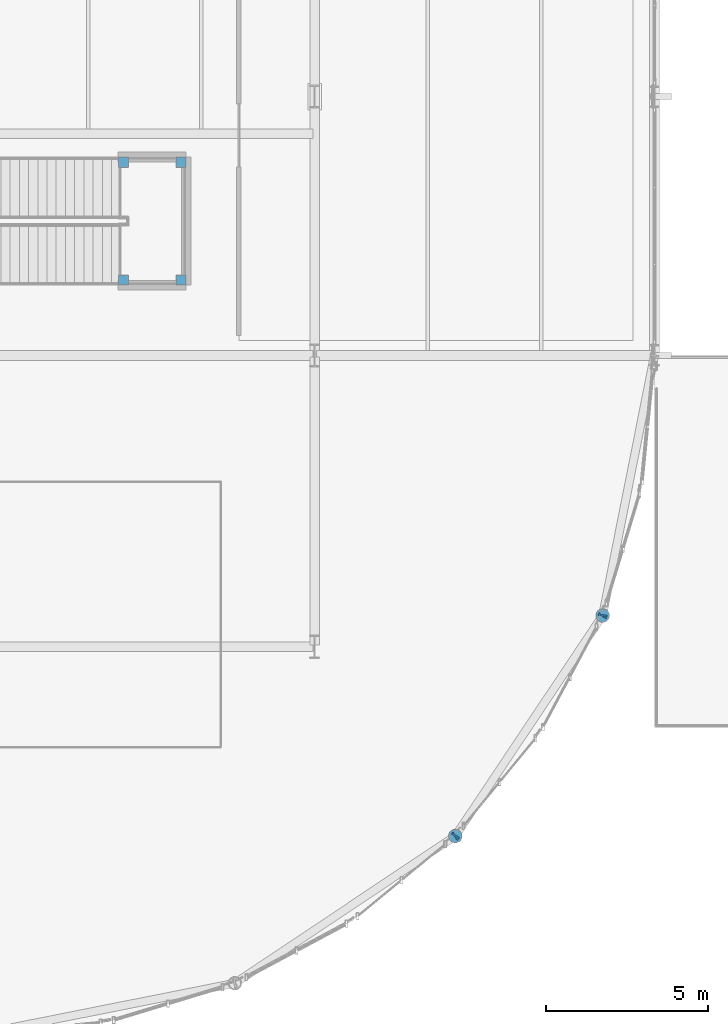
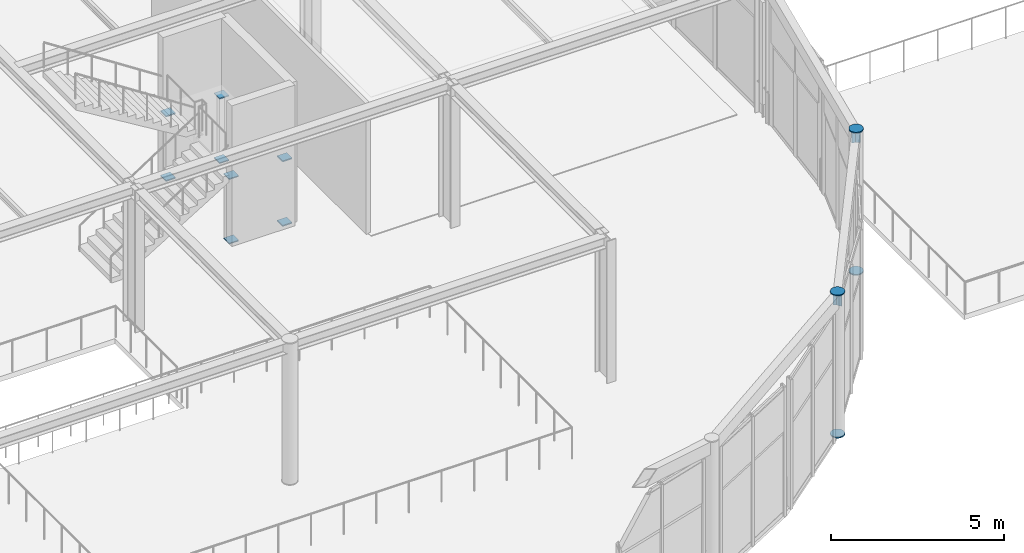
# One storey, part 126 of 195: 16 discrete accessories.
"""IFC4 building model written with IfcOpenShell, lengths in metres."""

from ifc_helpers import new_model, si_unit, direction, frame, origin, origin_2d, place, context, subcontext, project, spatial, rectangle, circle, extrude, material, element, save


model = new_model("IFC4")

# Units and contexts
model_context = context("Model", 3, precision=1e-05, world=origin(), true_north=direction((0.0, 1.0)))
body_context = subcontext(model_context, "Body", "Model", "MODEL_VIEW")
ifc_project = project(units=[si_unit("LENGTHUNIT", "METRE"), si_unit("AREAUNIT", "SQUARE_METRE"), si_unit("VOLUMEUNIT", "CUBIC_METRE"), si_unit("PLANEANGLEUNIT", "RADIAN"), si_unit("MASSUNIT", "GRAM", prefix="KILO")], contexts=[model_context])

# Site, building, storey
site_placement = place(None, origin())
site = spatial("IfcSite", under=ifc_project, at=site_placement, CompositionType="ELEMENT")
building_placement = place(site_placement, origin())
building = spatial("IfcBuilding", under=site, at=building_placement, Name="Marlcrest Central Station", CompositionType="ELEMENT")
storey_placement = place(building_placement, frame((0.0, 0.0, 9.800048828125)))
storey = spatial("IfcBuildingStorey", under=building, at=storey_placement, Name="L02", CompositionType="ELEMENT", Elevation=9.800048828125)

# Discrete accessories
ifc_material = material(Name="Steel S355", Category="steel")
for number, where, z_axis, x_axis, name in (
    (1, (122.84912109375, 7.65087890625, -0.014892578125), (0.0, 0.0, 1.0), (1.0, 0.0, 0.0), "endcap-col-SC-10-L02-0809-s"),
    (2, (122.84912109375, 7.65087890625, 4.985107421875), (0.0, 0.0, 1.0), (1.0, 0.0, 0.0), "endcap-col-SC-10-L02-0809-e"),
    (3, (127.40087890625, 14.464111328125, -0.014892578125), (0.0, 0.0, 1.0), (1.0, 0.0, 0.0), "endcap-col-SC-10-L02-0813-s"),
    (4, (127.40087890625, 14.464111328125, 4.985107421875), (0.0, 0.0, 1.0), (1.0, 0.0, 0.0), "endcap-col-SC-10-L02-0813-e"),
):
    element("IfcDiscreteAccessory", number, at=place(storey_placement, frame(where, z_axis=z_axis, x_axis=x_axis)), inside=storey, material=ifc_material, Name=name, ObjectType="END_CAP_PLATE", PredefinedType="BRACKET", context=body_context, shape_type="SweptSolid", body=[
        extrude(circle(Radius=0.211181640625, at=origin_2d()), origin(), (0.0, 0.0, 1.0), 0.0400390625),
    ])
for number, where, z_axis, x_axis, name in (
    (5, (122.828369140625, 7.636962890625, 4.77001953125), (0.831508991937, 0.55551129271, 0.0), (-0.55551129271, 0.831508991937, 0.0), "endcap-bm-SP-02-L02-01375-e"),
    (6, (122.8408203125, 7.638427734375, 4.77001953125), (0.55551129271, 0.831508991937, 0.0), (-0.831508991937, 0.55551129271, 0.0), "endcap-bm-SP-02-L02-01376-s"),
    (7, (127.386962890625, 14.443359375, 4.77001953125), (0.55551129271, 0.831508991937, 0.0), (-0.831508991937, 0.55551129271, 0.0), "endcap-bm-SP-02-L02-01376-e"),
    (8, (127.39794921875, 14.449462890625, 4.77001953125), (0.19517056122, 0.980769316421, 0.0), (-0.980769316421, 0.19517056122, 0.0), "endcap-bm-SP-02-L02-01377-s"),
):
    element("IfcDiscreteAccessory", number, at=place(storey_placement, frame(where, z_axis=z_axis, x_axis=x_axis)), inside=storey, material=ifc_material, Name=name, ObjectType="END_CAP_PLATE", PredefinedType="BRACKET", context=body_context, shape_type="SweptSolid", body=[
        extrude(rectangle(XDim=0.26611328125, YDim=0.466064453125, at=origin_2d()), origin(), (0.0, 0.0, 1.0), 0.0400390625),
    ])
for number, where, z_axis, x_axis, name in (
    (9, (112.590087890625, 24.830078125, -0.014892578125), (0.0, 0.0, 1.0), (1.0, 0.0, 0.0), "endcap-htcol-lo-0035-0-s"),
    (10, (112.590087890625, 24.830078125, 2.255126953125), (0.0, 0.0, 1.0), (1.0, 0.0, 0.0), "endcap-htcol-lo-0035-0-e"),
    (11, (114.3701171875, 24.830078125, -0.014892578125), (0.0, 0.0, 1.0), (1.0, 0.0, 0.0), "endcap-htcol-lo-0035-1-s"),
    (12, (114.3701171875, 24.830078125, 2.255126953125), (0.0, 0.0, 1.0), (1.0, 0.0, 0.0), "endcap-htcol-lo-0035-1-e"),
    (13, (114.3701171875, 28.469970703125, -0.014892578125), (0.0, 0.0, 1.0), (1.0, 0.0, 0.0), "endcap-htcol-lo-0035-2-s"),
    (14, (114.3701171875, 28.469970703125, 2.255126953125), (0.0, 0.0, 1.0), (1.0, 0.0, 0.0), "endcap-htcol-lo-0035-2-e"),
    (15, (112.590087890625, 28.469970703125, -0.014892578125), (0.0, 0.0, 1.0), (1.0, 0.0, 0.0), "endcap-htcol-lo-0035-3-s"),
    (16, (112.590087890625, 28.469970703125, 2.255126953125), (0.0, 0.0, 1.0), (1.0, 0.0, 0.0), "endcap-htcol-lo-0035-3-e"),
):
    element("IfcDiscreteAccessory", number, at=place(storey_placement, frame(where, z_axis=z_axis, x_axis=x_axis)), inside=storey, material=ifc_material, Name=name, ObjectType="END_CAP_PLATE", PredefinedType="BRACKET", context=body_context, shape_type="SweptSolid", body=[
        extrude(rectangle(XDim=0.31591796875, YDim=0.31591796875, at=origin_2d()), origin(), (0.0, 0.0, 1.0), 0.0400390625),
    ])

save(model, "model.ifc")
